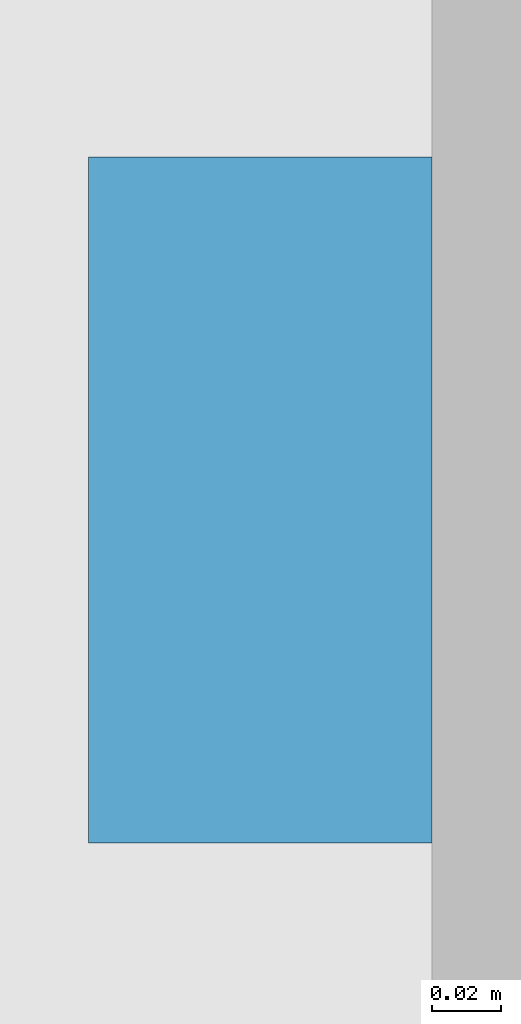
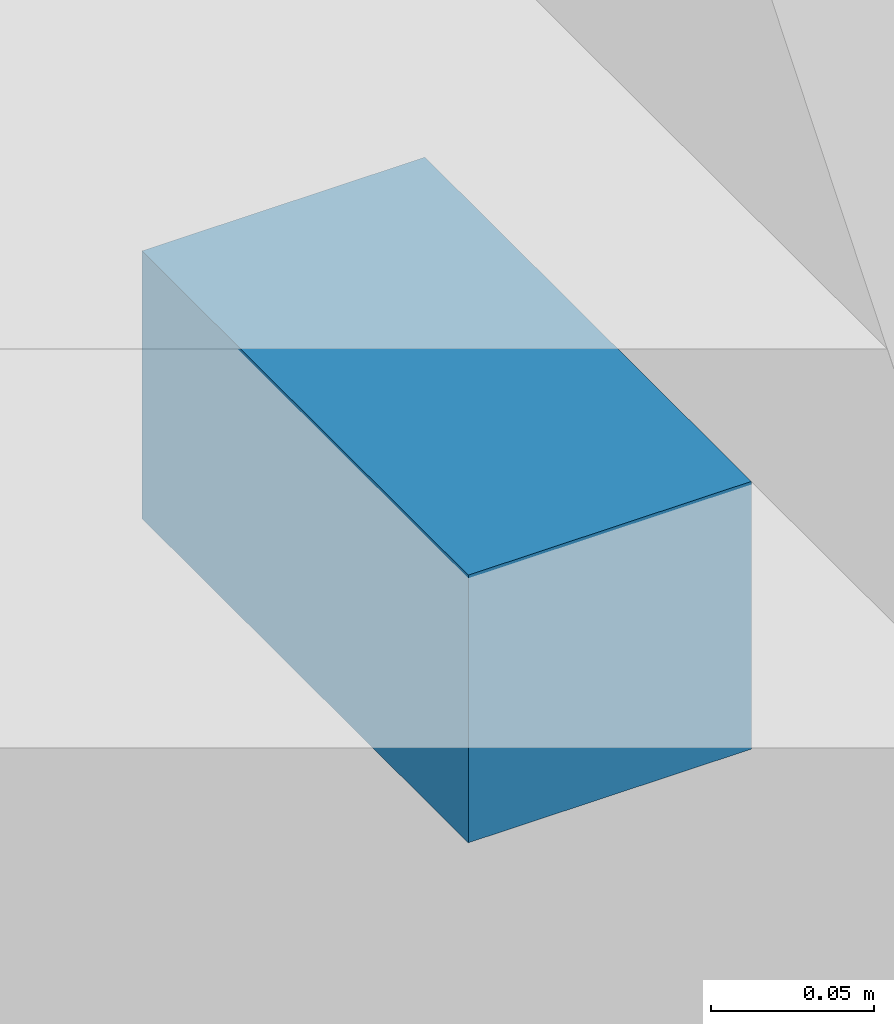
# One storey, part 15 of 17: 1 discrete accessory.
"""IFC4 building model written with IfcOpenShell, lengths in metres."""

from ifc_helpers import new_model, si_unit, direction, frame, origin, origin_2d, place, context, subcontext, project, spatial, rectangle, extrude, element, save


model = new_model("IFC4")

# Units and contexts
model_context = context("Model", 3, precision=1e-05, world=origin(), true_north=direction((0.0, 1.0)))
body_context = subcontext(model_context, "Body", "Model", "MODEL_VIEW")
ifc_project = project(units=[si_unit("LENGTHUNIT", "METRE"), si_unit("AREAUNIT", "SQUARE_METRE"), si_unit("VOLUMEUNIT", "CUBIC_METRE"), si_unit("PLANEANGLEUNIT", "RADIAN"), si_unit("MASSUNIT", "GRAM", prefix="KILO")], contexts=[model_context])

# Site, building, storey
site_placement = place(None, origin())
site = spatial("IfcSite", under=ifc_project, at=site_placement, CompositionType="ELEMENT")
building_placement = place(site_placement, origin())
building = spatial("IfcBuilding", under=site, at=building_placement, Name="Calvaro Tower", CompositionType="ELEMENT")
storey_placement = place(building_placement, frame((0.0, 0.0, 185.5)))
storey = spatial("IfcBuildingStorey", under=building, at=storey_placement, Name="L46", CompositionType="ELEMENT", Elevation=185.5)

# Discrete accessory
discrete_accessory_placement = place(storey_placement, frame((65.5, 3.60009765625, 2.349853515625), z_axis=(0.0, 0.0, 1.0), x_axis=(1.0, 0.0, 0.0)))
element("IfcDiscreteAccessory", 1, at=discrete_accessory_placement, inside=storey, Name="Brise-soleil bracket", PredefinedType="BRACKET", context=body_context, shape_type="SweptSolid", body=[
    extrude(rectangle(XDim=0.10009765625, YDim=0.199951171875, at=origin_2d()), origin(), (0.0, 0.0, 1.0), 0.10009765625),
])

save(model, "model.ifc")
